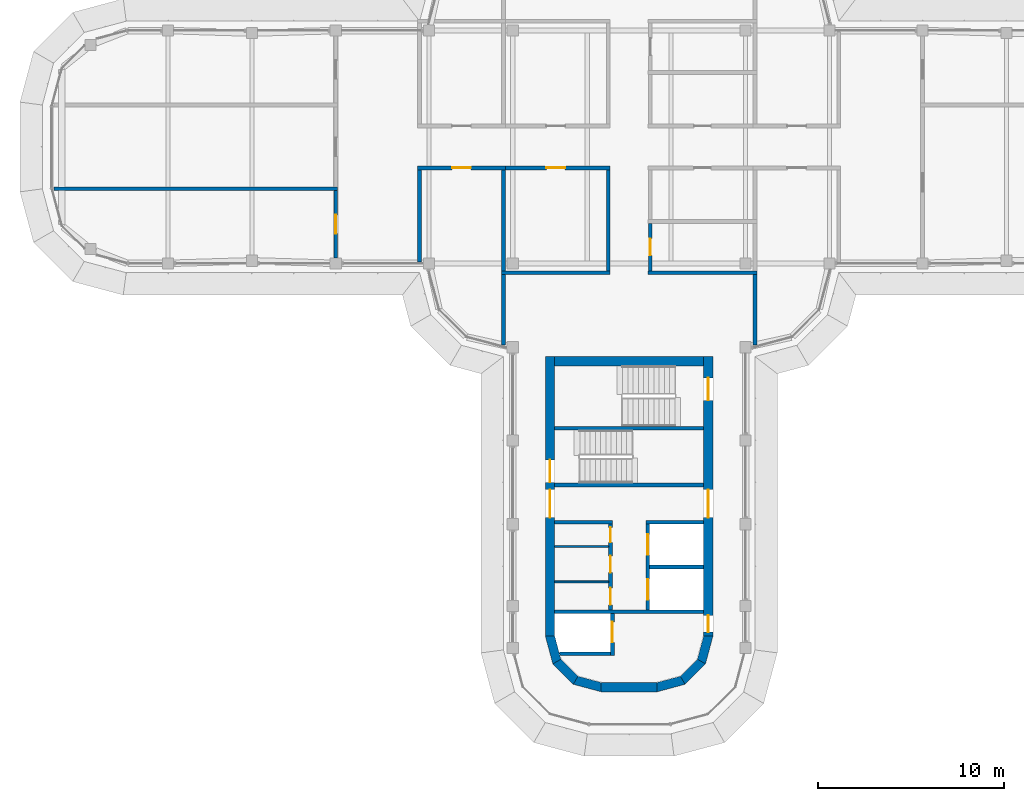
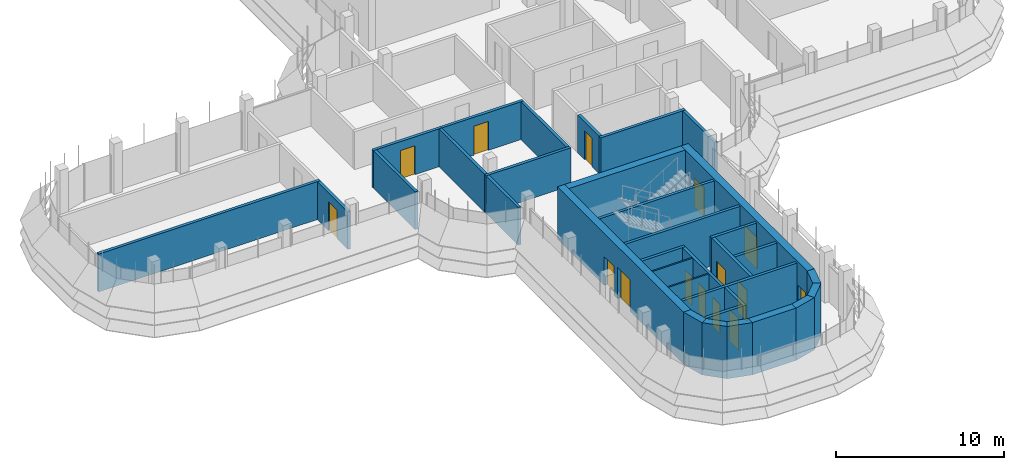
# One storey, part 13 of 19: 34 walls, 15 doors, 15 openings.
"""IFC4 building model written with IfcOpenShell, lengths in metres."""

from ifc_helpers import new_model, si_unit, direction, frame, frame_2d, origin, place, context, subcontext, project, spatial, polyline, rectangle, outline, extrude, material, layer, layer_set, type_object, element, fill, save


model = new_model("IFC4")

# Units and contexts
model_context = context("Model", 3, precision=1e-05, world=origin(), true_north=direction((0.0, 1.0)))
body_context = subcontext(model_context, "Body", "Model", "MODEL_VIEW")
ifc_project = project(units=[si_unit("LENGTHUNIT", "METRE"), si_unit("AREAUNIT", "SQUARE_METRE"), si_unit("VOLUMEUNIT", "CUBIC_METRE"), si_unit("PLANEANGLEUNIT", "RADIAN"), si_unit("MASSUNIT", "GRAM", prefix="KILO")], contexts=[model_context])

# Site, building, storey
site_placement = place(None, origin())
site = spatial("IfcSite", under=ifc_project, at=site_placement, CompositionType="ELEMENT")
building_placement = place(site_placement, origin())
building = spatial("IfcBuilding", under=site, at=building_placement, Name="Zarbagh Exchange Tower", CompositionType="ELEMENT")
storey_placement = place(building_placement, frame((0.0, 0.0, 265.0)))
storey = spatial("IfcBuildingStorey", under=building, at=storey_placement, Name="L65", CompositionType="ELEMENT", Elevation=265.0)

# Walls
ifc_material_1 = material(Name="Dense blockwork", Category="masonry")
ifc_layer_1 = layer(ifc_material_1, 0.10009765625)
ifc_layer_set_1 = layer_set([ifc_layer_1], Name="Core partition 100 mm blockwork")
wall_type_1 = type_object("IfcWallType", Name="Core partition 100 mm blockwork", PredefinedType="PARTITIONING", material=ifc_layer_set_1)
for number, where, z_axis, x_axis, name in (
    (1, (-1.10009765625, -23.35009765625, 0.0), (0.0, 0.0, 1.0), (-1.0, 0.0, 0.0), "South core partition wall CUT-E-500"),
    (2, (-1.10009765625, -21.449951171875, 0.0), (0.0, 0.0, 1.0), (-1.0, 0.0, 0.0), "South core partition wall CUT-E-690"),
):
    element("IfcWall", number, at=place(storey_placement, frame(where, z_axis=z_axis, x_axis=x_axis)), inside=storey, type_object=wall_type_1, Name=name, PredefinedType="PARTITIONING", context=body_context, shape_type="SweptSolid", body=[
        extrude(rectangle(XDim=2.89990234375, YDim=0.10009765625, at=frame_2d((1.449951171875, 0.0))), origin(), (0.0, 0.0, 1.0), 3.64990234375),
    ])

# Wall, opening, door
ifc_material_2 = material(Name="Fire-rated plasterboard partition")
ifc_layer_2 = layer(ifc_material_2, 0.199951171875)
ifc_layer_set_2 = layer_set([ifc_layer_2], Name="RATED PARTITION 200")
wall_type_2 = type_object("IfcWallType", Name="RATED PARTITION 200", PredefinedType="PARTITIONING", material=ifc_layer_set_2)
wall_1_placement = place(storey_placement, frame((-1.02490234375, -1.125, 0.0), z_axis=(0.0, 0.0, 1.0), x_axis=(-1.0, 0.0, 0.0)))
wall_1 = element("IfcWall", 3, at=wall_1_placement, inside=storey, type_object=wall_type_2, Name="Partition W-2807", PredefinedType="PARTITIONING", context=body_context, shape_type="SweptSolid", body=[
    extrude(rectangle(XDim=5.8251953125, YDim=0.199951171875, at=frame_2d((2.91259765625, 0.0))), origin(), (0.0, 0.0, 1.0), 2.75),
])
opening_1_placement = place(wall_1_placement, frame((2.41259765625, 0.0, 0.0)))
opening_1 = element("IfcOpeningElement", 4, at=opening_1_placement, cuts=wall_1, Name="Opening D-2812", PredefinedType="OPENING", context=body_context, shape_type="SweptSolid", body=[
    extrude(rectangle(XDim=1.0, YDim=2.10009765625, at=frame_2d((0.5, 1.050048828125))), frame((0.0, 0.10986328125, 0.0), z_axis=(0.0, -1.0, 0.0), x_axis=(1.0, 0.0, 0.0)), (0.0, 0.0, 1.0), 0.219970703125),
])
ifc_material_3 = material(Name="Steel door set", Category="steel")
door_type_1 = type_object("IfcDoorType", Name="FIRE DOOR 1000 X 2100 FD30S", OperationType="NOTDEFINED", PredefinedType="DOOR", material=ifc_material_3)
door_1_placement = place(opening_1_placement, origin())
door_1 = element("IfcDoor", 5, at=door_1_placement, inside=storey, type_object=door_type_1, Name="Door D-2812", OperationType="SINGLE_SWING_RIGHT", OverallHeight=2.10009765625, OverallWidth=1.0, PredefinedType="DOOR", context=body_context, shape_type="SweptSolid", body=[
    extrude(rectangle(XDim=1.0, YDim=2.10009765625, at=frame_2d((0.5, 1.050048828125))), frame((0.0, 0.02490234375, 0.0), z_axis=(0.0, -1.0, 0.0), x_axis=(1.0, 0.0, 0.0)), (0.0, 0.0, 1.0), 0.050048828125),
])
fill(opening_1, door_1)

wall_2_placement = place(storey_placement, frame((-6.64990234375, -1.125, 0.0), z_axis=(0.0, 0.0, 1.0), x_axis=(-1.0, 0.0, 0.0)))
wall_2 = element("IfcWall", 6, at=wall_2_placement, inside=storey, type_object=wall_type_2, Name="Partition W-2808", PredefinedType="PARTITIONING", context=body_context, shape_type="SweptSolid", body=[
    extrude(rectangle(XDim=4.7001953125, YDim=0.199951171875, at=frame_2d((2.35009765625, 0.0))), origin(), (0.0, 0.0, 1.0), 2.75),
])
opening_2_placement = place(wall_2_placement, frame((1.85009765625, 0.0, 0.0)))
opening_2 = element("IfcOpeningElement", 7, at=opening_2_placement, cuts=wall_2, Name="Opening D-2813", PredefinedType="OPENING", context=body_context, shape_type="SweptSolid", body=[
    extrude(rectangle(XDim=1.0, YDim=2.10009765625, at=frame_2d((0.5, 1.050048828125))), frame((0.0, 0.10986328125, 0.0), z_axis=(0.0, -1.0, 0.0), x_axis=(1.0, 0.0, 0.0)), (0.0, 0.0, 1.0), 0.219970703125),
])
door_2_placement = place(opening_2_placement, origin())
door_2 = element("IfcDoor", 8, at=door_2_placement, inside=storey, type_object=door_type_1, Name="Door D-2813", OperationType="SINGLE_SWING_RIGHT", OverallHeight=2.10009765625, OverallWidth=1.0, PredefinedType="DOOR", context=body_context, shape_type="SweptSolid", body=[
    extrude(rectangle(XDim=1.0, YDim=2.10009765625, at=frame_2d((0.5, 1.050048828125))), frame((0.0, 0.02490234375, 0.0), z_axis=(0.0, -1.0, 0.0), x_axis=(1.0, 0.0, 0.0)), (0.0, 0.0, 1.0), 0.050048828125),
])
fill(opening_2, door_2)

wall_3_placement = place(storey_placement, frame((1.125, -4.10009765625, 0.0), z_axis=(0.0, 0.0, 1.0), x_axis=(0.0, -1.0, 0.0)))
wall_3 = element("IfcWall", 9, at=wall_3_placement, inside=storey, type_object=wall_type_2, Name="Partition W-2813", PredefinedType="PARTITIONING", context=body_context, shape_type="SweptSolid", body=[
    extrude(rectangle(XDim=2.5498046875, YDim=0.199951171875, at=frame_2d((1.27490234375, 0.0))), origin(), (0.0, 0.0, 1.0), 2.75),
])
opening_3_placement = place(wall_3_placement, frame((0.824951171875, 0.0, 0.0)))
opening_3 = element("IfcOpeningElement", 10, at=opening_3_placement, cuts=wall_3, Name="Opening D-2810", PredefinedType="OPENING", context=body_context, shape_type="SweptSolid", body=[
    extrude(rectangle(XDim=0.89990234375, YDim=2.10009765625, at=frame_2d((0.449951171875, 1.050048828125))), frame((0.0, 0.10986328125, 0.0), z_axis=(0.0, -1.0, 0.0), x_axis=(1.0, 0.0, 0.0)), (0.0, 0.0, 1.0), 0.219970703125),
])
ifc_material_4 = material(Name="Timber door leaf", Category="wood")
door_type_2 = type_object("IfcDoorType", Name="DOOR 900 X 2100", OperationType="NOTDEFINED", PredefinedType="DOOR", material=ifc_material_4)
door_3_placement = place(opening_3_placement, origin())
door_3 = element("IfcDoor", 11, at=door_3_placement, inside=storey, type_object=door_type_2, Name="Door D-2810", OperationType="SINGLE_SWING_RIGHT", OverallHeight=2.10009765625, OverallWidth=0.89990234375, PredefinedType="DOOR", context=body_context, shape_type="SweptSolid", body=[
    extrude(rectangle(XDim=0.89990234375, YDim=2.10009765625, at=frame_2d((0.449951171875, 1.050048828125))), frame((0.0, 0.02490234375, 0.0), z_axis=(0.0, -1.0, 0.0), x_axis=(1.0, 0.0, 0.0)), (0.0, 0.0, 1.0), 0.050048828125),
])
fill(opening_3, door_3)

# Walls
wall_4_placement = place(storey_placement, frame((-1.125, -6.64990234375, 0.0), z_axis=(0.0, 0.0, 1.0), x_axis=(0.0, 1.0, 0.0)))
element("IfcWall", 12, at=wall_4_placement, inside=storey, type_object=wall_type_2, Name="Partition W-2814", PredefinedType="PARTITIONING", context=body_context, shape_type="SweptSolid", body=[
    extrude(rectangle(XDim=5.4248046875, YDim=0.199951171875, at=frame_2d((2.71240234375, 0.0))), origin(), (0.0, 0.0, 1.0), 2.75),
])
wall_5_placement = place(storey_placement, frame((1.02490234375, -6.75, 0.0), z_axis=(0.0, 0.0, 1.0), x_axis=(1.0, 0.0, 0.0)))
element("IfcWall", 13, at=wall_5_placement, inside=storey, type_object=wall_type_2, Name="Partition W-2819", PredefinedType="PARTITIONING", context=body_context, shape_type="SweptSolid", body=[
    extrude(rectangle(XDim=5.8251953125, YDim=0.199951171875, at=frame_2d((2.91259765625, 0.0))), origin(), (0.0, 0.0, 1.0), 2.75),
])
wall_6_placement = place(storey_placement, frame((6.75, -10.6298828125, 0.0), z_axis=(0.0, 0.0, 1.0), x_axis=(0.0, 1.0, 0.0)))
element("IfcWall", 14, at=wall_6_placement, inside=storey, type_object=wall_type_2, Name="Partition W-2820", PredefinedType="PARTITIONING", context=body_context, shape_type="SweptSolid", body=[
    extrude(rectangle(XDim=3.77978515625, YDim=0.199951171875, at=frame_2d((1.889892578125, 0.0))), origin(), (0.0, 0.0, 1.0), 2.75),
])
wall_7_placement = place(storey_placement, frame((-6.85009765625, -6.75, 0.0), z_axis=(0.0, 0.0, 1.0), x_axis=(1.0, 0.0, 0.0)))
element("IfcWall", 15, at=wall_7_placement, inside=storey, type_object=wall_type_2, Name="Partition W-2821", PredefinedType="PARTITIONING", context=body_context, shape_type="SweptSolid", body=[
    extrude(rectangle(XDim=5.8251953125, YDim=0.199951171875, at=frame_2d((2.91259765625, 0.0))), origin(), (0.0, 0.0, 1.0), 2.75),
])
wall_8_placement = place(storey_placement, frame((-6.75, -10.6298828125, 0.0), z_axis=(0.0, 0.0, 1.0), x_axis=(0.0, 1.0, 0.0)))
element("IfcWall", 16, at=wall_8_placement, inside=storey, type_object=wall_type_2, Name="Partition W-2822", PredefinedType="PARTITIONING", context=body_context, shape_type="SweptSolid", body=[
    extrude(rectangle(XDim=3.77978515625, YDim=0.199951171875, at=frame_2d((1.889892578125, 0.0))), origin(), (0.0, 0.0, 1.0), 2.75),
])
wall_9_placement = place(storey_placement, frame((-6.75, -6.64990234375, 0.0), z_axis=(0.0, 0.0, 1.0), x_axis=(0.0, 1.0, 0.0)))
element("IfcWall", 17, at=wall_9_placement, inside=storey, type_object=wall_type_2, Name="Partition W-2834", PredefinedType="PARTITIONING", context=body_context, shape_type="SweptSolid", body=[
    extrude(rectangle(XDim=5.4248046875, YDim=0.199951171875, at=frame_2d((2.71240234375, 0.0))), origin(), (0.0, 0.0, 1.0), 2.75),
])
wall_10_placement = place(storey_placement, frame((-11.25, -6.169921875, 0.0), z_axis=(0.0, 0.0, 1.0), x_axis=(0.0, 1.0, 0.0)))
element("IfcWall", 18, at=wall_10_placement, inside=storey, type_object=wall_type_2, Name="Partition W-2835", PredefinedType="PARTITIONING", context=body_context, shape_type="SweptSolid", body=[
    extrude(rectangle(XDim=4.94482421875, YDim=0.199951171875, at=frame_2d((2.472412109375, 0.0))), origin(), (0.0, 0.0, 1.0), 2.75),
])

# Wall, opening, door
wall_11_placement = place(storey_placement, frame((-15.75, -5.949951171875, 0.0), z_axis=(0.0, 0.0, 1.0), x_axis=(0.0, 1.0, 0.0)))
wall_11 = element("IfcWall", 19, at=wall_11_placement, inside=storey, type_object=wall_type_2, Name="Partition W-2839", PredefinedType="PARTITIONING", context=body_context, shape_type="SweptSolid", body=[
    extrude(rectangle(XDim=3.599853515625, YDim=0.199951171875, at=frame_2d((1.7998046875, 0.0))), origin(), (0.0, 0.0, 1.0), 2.75),
])
opening_4_placement = place(wall_11_placement, frame((1.300048828125, 0.0, 0.0)))
opening_4 = element("IfcOpeningElement", 20, at=opening_4_placement, cuts=wall_11, Name="Opening D-2814", PredefinedType="OPENING", context=body_context, shape_type="SweptSolid", body=[
    extrude(rectangle(XDim=1.0, YDim=2.10009765625, at=frame_2d((0.5, 1.050048828125))), frame((0.0, 0.10986328125, 0.0), z_axis=(0.0, -1.0, 0.0), x_axis=(1.0, 0.0, 0.0)), (0.0, 0.0, 1.0), 0.219970703125),
])
door_4_placement = place(opening_4_placement, origin())
door_4 = element("IfcDoor", 21, at=door_4_placement, inside=storey, type_object=door_type_1, Name="Door D-2814", OperationType="SINGLE_SWING_LEFT", OverallHeight=2.10009765625, OverallWidth=1.0, PredefinedType="DOOR", context=body_context, shape_type="SweptSolid", body=[
    extrude(rectangle(XDim=1.0, YDim=2.10009765625, at=frame_2d((0.5, 1.050048828125))), frame((0.0, 0.02490234375, 0.0), z_axis=(0.0, -1.0, 0.0), x_axis=(1.0, 0.0, 0.0)), (0.0, 0.0, 1.0), 0.050048828125),
])
fill(opening_4, door_4)

# Walls
wall_12_placement = place(storey_placement, frame((-30.8798828125, -2.25, 0.0), z_axis=(0.0, 0.0, 1.0), x_axis=(1.0, 0.0, 0.0)))
element("IfcWall", 22, at=wall_12_placement, inside=storey, type_object=wall_type_2, Name="Partition W-2842", PredefinedType="PARTITIONING", context=body_context, shape_type="SweptSolid", body=[
    extrude(rectangle(XDim=15.22998046875, YDim=0.199951171875, at=frame_2d((7.614990234375, 0.0))), origin(), (0.0, 0.0, 1.0), 2.75),
])
ifc_material_5 = material(Name="Concrete C40/50", Category="concrete")
ifc_layer_3 = layer(ifc_material_5, 0.5)
ifc_layer_set_3 = layer_set([ifc_layer_3], Name="RC core corner wall 500 C40/50")
wall_type_3 = type_object("IfcWallType", Name="RC core corner wall 500 C40/50", PredefinedType="SHEAR", material=ifc_layer_set_3)
wall_13_placement = place(storey_placement, origin())
element("IfcWall", 23, at=wall_13_placement, inside=storey, type_object=wall_type_3, Name="CW10 core S corner W", PredefinedType="SHEAR", context=body_context, shape_type="SweptSolid", body=[
    extrude(outline(polyline([(-4.5, -26.25), (-4.09814453125, -27.75), (-3.6650390625, -27.5), (-4.0, -26.25), (-4.5, -26.25)])), origin(), (0.0, 0.0, 1.0), 3.800048828125),
])
wall_14_placement = place(storey_placement, origin())
element("IfcWall", 24, at=wall_14_placement, inside=storey, type_object=wall_type_3, Name="CW10 core S corner W", PredefinedType="SHEAR", context=body_context, shape_type="SweptSolid", body=[
    extrude(outline(polyline([(-4.09814453125, -27.75), (-3.0, -28.84814453125), (-2.75, -28.4150390625), (-3.6650390625, -27.5), (-4.09814453125, -27.75)])), origin(), (0.0, 0.0, 1.0), 3.800048828125),
])
wall_15_placement = place(storey_placement, origin())
element("IfcWall", 25, at=wall_15_placement, inside=storey, type_object=wall_type_3, Name="CW10 core S corner W", PredefinedType="SHEAR", context=body_context, shape_type="SweptSolid", body=[
    extrude(outline(polyline([(-3.0, -28.84814453125), (-1.5, -29.25), (-1.5, -28.75), (-2.75, -28.4150390625), (-3.0, -28.84814453125)])), origin(), (0.0, 0.0, 1.0), 3.800048828125),
])
wall_16_placement = place(storey_placement, origin())
element("IfcWall", 26, at=wall_16_placement, inside=storey, type_object=wall_type_3, Name="CW10 core S corner E", PredefinedType="SHEAR", context=body_context, shape_type="SweptSolid", body=[
    extrude(outline(polyline([(4.5, -26.25), (4.09814453125, -27.75), (3.6650390625, -27.5), (4.0, -26.25), (4.5, -26.25)])), origin(), (0.0, 0.0, 1.0), 3.800048828125),
])
wall_17_placement = place(storey_placement, origin())
element("IfcWall", 27, at=wall_17_placement, inside=storey, type_object=wall_type_3, Name="CW10 core S corner E", PredefinedType="SHEAR", context=body_context, shape_type="SweptSolid", body=[
    extrude(outline(polyline([(4.09814453125, -27.75), (3.0, -28.84814453125), (2.75, -28.4150390625), (3.6650390625, -27.5), (4.09814453125, -27.75)])), origin(), (0.0, 0.0, 1.0), 3.800048828125),
])
wall_18_placement = place(storey_placement, origin())
element("IfcWall", 28, at=wall_18_placement, inside=storey, type_object=wall_type_3, Name="CW10 core S corner E", PredefinedType="SHEAR", context=body_context, shape_type="SweptSolid", body=[
    extrude(outline(polyline([(3.0, -28.84814453125), (1.5, -29.25), (1.5, -28.75), (2.75, -28.4150390625), (3.0, -28.84814453125)])), origin(), (0.0, 0.0, 1.0), 3.800048828125),
])

# Wall, openings, doors
ifc_layer_4 = layer(ifc_material_5, 0.5)
ifc_layer_set_4 = layer_set([ifc_layer_4], Name="RC core wall 500 C40/50")
wall_type_4 = type_object("IfcWallType", Name="RC core wall 500 C40/50", PredefinedType="SHEAR", material=ifc_layer_set_4)
wall_19_placement = place(storey_placement, frame((-4.25, -11.25, 0.0), z_axis=(0.0, 0.0, 1.0), x_axis=(0.0, -1.0, 0.0)))
wall_19 = element("IfcWall", 29, at=wall_19_placement, inside=storey, type_object=wall_type_4, Name="CW9 core S W", PredefinedType="SHEAR", context=body_context, shape_type="SweptSolid", body=[
    extrude(rectangle(XDim=15.0, YDim=0.5, at=frame_2d((7.5, 0.0))), origin(), (0.0, 0.0, 1.0), 3.800048828125),
])
opening_5_placement = place(wall_19_placement, frame((7.14990234375, 0.0, 0.0)))
opening_5 = element("IfcOpeningElement", 30, at=opening_5_placement, cuts=wall_19, Name="Opening CD1-1500", PredefinedType="OPENING", context=body_context, shape_type="SweptSolid", body=[
    extrude(rectangle(XDim=1.5, YDim=2.300048828125, at=frame_2d((0.75, 1.14990234375))), frame((0.0, 0.260009765625, 0.0), z_axis=(0.0, -1.0, 0.0), x_axis=(1.0, 0.0, 0.0)), (0.0, 0.0, 1.0), 0.52001953125),
])
opening_6_placement = place(wall_19_placement, frame((5.550048828125, 0.0, 0.0)))
opening_6 = element("IfcOpeningElement", 31, at=opening_6_placement, cuts=wall_19, Name="Opening SD1-1200", PredefinedType="OPENING", context=body_context, shape_type="SweptSolid", body=[
    extrude(rectangle(XDim=1.199951171875, YDim=2.10009765625, at=frame_2d((0.60009765625, 1.050048828125))), frame((0.0, 0.260009765625, 0.0), z_axis=(0.0, -1.0, 0.0), x_axis=(1.0, 0.0, 0.0)), (0.0, 0.0, 1.0), 0.52001953125),
])
ifc_material_6 = material(Name="Steel", Category="steel")
door_type_3 = type_object("IfcDoorType", Name="Exit stair door 1200 x 2100", OperationType="NOTDEFINED", PredefinedType="DOOR", material=ifc_material_6)
door_5_placement = place(opening_6_placement, origin())
door_5 = element("IfcDoor", 32, at=door_5_placement, inside=storey, type_object=door_type_3, Name="South core stair door ST1", OperationType="SINGLE_SWING_RIGHT", OverallHeight=2.10009765625, OverallWidth=1.199951171875, PredefinedType="DOOR", context=body_context, shape_type="SweptSolid", body=[
    extrude(rectangle(XDim=1.199951171875, YDim=2.10009765625, at=frame_2d((0.60009765625, 1.050048828125))), frame((0.0, 0.02490234375, 0.0), z_axis=(0.0, -1.0, 0.0), x_axis=(1.0, 0.0, 0.0)), (0.0, 0.0, 1.0), 0.050048828125),
])
fill(opening_6, door_5)
door_type_4 = type_object("IfcDoorType", Name="Lift lobby double door 1500 x 2300", OperationType="NOTDEFINED", PredefinedType="DOOR", material=ifc_material_6)
door_6_placement = place(opening_5_placement, origin())
door_6 = element("IfcDoor", 33, at=door_6_placement, inside=storey, type_object=door_type_4, Name="South core lift lobby door LOBBY-E", OperationType="DOUBLE_DOOR_SINGLE_SWING", OverallHeight=2.300048828125, OverallWidth=1.5, PredefinedType="DOOR", context=body_context, shape_type="SweptSolid", body=[
    extrude(rectangle(XDim=1.5, YDim=2.300048828125, at=frame_2d((0.75, 1.14990234375))), frame((0.0, 0.02490234375, 0.0), z_axis=(0.0, -1.0, 0.0), x_axis=(1.0, 0.0, 0.0)), (0.0, 0.0, 1.0), 0.050048828125),
])
fill(opening_5, door_6)

wall_20_placement = place(storey_placement, frame((4.25, -11.25, 0.0), z_axis=(0.0, 0.0, 1.0), x_axis=(0.0, -1.0, 0.0)))
wall_20 = element("IfcWall", 34, at=wall_20_placement, inside=storey, type_object=wall_type_4, Name="CW9 core S E", PredefinedType="SHEAR", context=body_context, shape_type="SweptSolid", body=[
    extrude(rectangle(XDim=15.0, YDim=0.5, at=frame_2d((7.5, 0.0))), origin(), (0.0, 0.0, 1.0), 3.800048828125),
])
opening_7_placement = place(wall_20_placement, frame((7.14990234375, 0.0, 0.0)))
opening_7 = element("IfcOpeningElement", 35, at=opening_7_placement, cuts=wall_20, Name="Opening CD1-1500", PredefinedType="OPENING", context=body_context, shape_type="SweptSolid", body=[
    extrude(rectangle(XDim=1.5, YDim=2.300048828125, at=frame_2d((0.75, 1.14990234375))), frame((0.0, 0.260009765625, 0.0), z_axis=(0.0, -1.0, 0.0), x_axis=(1.0, 0.0, 0.0)), (0.0, 0.0, 1.0), 0.52001953125),
])
opening_8_placement = place(wall_20_placement, frame((13.89990234375, 0.0, 0.0)))
opening_8 = element("IfcOpeningElement", 36, at=opening_8_placement, cuts=wall_20, Name="Opening CD2-900", PredefinedType="OPENING", context=body_context, shape_type="SweptSolid", body=[
    extrude(rectangle(XDim=0.89990234375, YDim=2.10009765625, at=frame_2d((0.449951171875, 1.050048828125))), frame((0.0, 0.260009765625, 0.0), z_axis=(0.0, -1.0, 0.0), x_axis=(1.0, 0.0, 0.0)), (0.0, 0.0, 1.0), 0.52001953125),
])
opening_9_placement = place(wall_20_placement, frame((1.14990234375, 0.0, 0.0)))
opening_9 = element("IfcOpeningElement", 37, at=opening_9_placement, cuts=wall_20, Name="Opening SD1-1200", PredefinedType="OPENING", context=body_context, shape_type="SweptSolid", body=[
    extrude(rectangle(XDim=1.199951171875, YDim=2.10009765625, at=frame_2d((0.60009765625, 1.050048828125))), frame((0.0, 0.260009765625, 0.0), z_axis=(0.0, -1.0, 0.0), x_axis=(1.0, 0.0, 0.0)), (0.0, 0.0, 1.0), 0.52001953125),
])
door_7_placement = place(opening_9_placement, origin())
door_7 = element("IfcDoor", 38, at=door_7_placement, inside=storey, type_object=door_type_3, Name="South core stair door ST2", OperationType="SINGLE_SWING_RIGHT", OverallHeight=2.10009765625, OverallWidth=1.199951171875, PredefinedType="DOOR", context=body_context, shape_type="SweptSolid", body=[
    extrude(rectangle(XDim=1.199951171875, YDim=2.10009765625, at=frame_2d((0.60009765625, 1.050048828125))), frame((0.0, 0.02490234375, 0.0), z_axis=(0.0, -1.0, 0.0), x_axis=(1.0, 0.0, 0.0)), (0.0, 0.0, 1.0), 0.050048828125),
])
fill(opening_9, door_7)
door_type_5 = type_object("IfcDoorType", Name="Firefighting lobby door 900 x 2100", OperationType="NOTDEFINED", PredefinedType="DOOR", material=ifc_material_6)
door_8_placement = place(opening_8_placement, origin())
door_8 = element("IfcDoor", 39, at=door_8_placement, inside=storey, type_object=door_type_5, Name="South core firefighting lobby door FF-W", OperationType="SINGLE_SWING_LEFT", OverallHeight=2.10009765625, OverallWidth=0.89990234375, PredefinedType="DOOR", context=body_context, shape_type="SweptSolid", body=[
    extrude(rectangle(XDim=0.89990234375, YDim=2.10009765625, at=frame_2d((0.449951171875, 1.050048828125))), frame((0.0, 0.02490234375, 0.0), z_axis=(0.0, -1.0, 0.0), x_axis=(1.0, 0.0, 0.0)), (0.0, 0.0, 1.0), 0.050048828125),
])
fill(opening_8, door_8)
door_9_placement = place(opening_7_placement, origin())
door_9 = element("IfcDoor", 40, at=door_9_placement, inside=storey, type_object=door_type_4, Name="South core lift lobby door LOBBY-W", OperationType="DOUBLE_DOOR_SINGLE_SWING", OverallHeight=2.300048828125, OverallWidth=1.5, PredefinedType="DOOR", context=body_context, shape_type="SweptSolid", body=[
    extrude(rectangle(XDim=1.5, YDim=2.300048828125, at=frame_2d((0.75, 1.14990234375))), frame((0.0, 0.02490234375, 0.0), z_axis=(0.0, -1.0, 0.0), x_axis=(1.0, 0.0, 0.0)), (0.0, 0.0, 1.0), 0.050048828125),
])
fill(opening_7, door_9)

# Walls
wall_21_placement = place(storey_placement, frame((-4.0, -11.5, 0.0), z_axis=(0.0, 0.0, 1.0), x_axis=(1.0, 0.0, 0.0)))
element("IfcWall", 41, at=wall_21_placement, inside=storey, type_object=wall_type_4, Name="CW9 core S inner end", PredefinedType="SHEAR", context=body_context, shape_type="SweptSolid", body=[
    extrude(rectangle(XDim=8.0, YDim=0.5, at=frame_2d((4.0, 0.0))), origin(), (0.0, 0.0, 1.0), 3.800048828125),
])
wall_22_placement = place(storey_placement, frame((-1.5, -29.0, 0.0), z_axis=(0.0, 0.0, 1.0), x_axis=(1.0, 0.0, 0.0)))
element("IfcWall", 42, at=wall_22_placement, inside=storey, type_object=wall_type_4, Name="CW9 core S outer end", PredefinedType="SHEAR", context=body_context, shape_type="SweptSolid", body=[
    extrude(rectangle(XDim=3.0, YDim=0.5, at=frame_2d((1.5, 0.0))), origin(), (0.0, 0.0, 1.0), 3.800048828125),
])
ifc_layer_5 = layer(ifc_material_1, 0.199951171875)
ifc_layer_set_5 = layer_set([ifc_layer_5], Name="Shaft wall 200 mm blockwork")
wall_type_5 = type_object("IfcWallType", Name="Shaft wall 200 mm blockwork", PredefinedType="PARTITIONING", material=ifc_layer_set_5)
wall_23_placement = place(storey_placement, frame((4.0, -20.14990234375, 0.0), z_axis=(0.0, 0.0, 1.0), x_axis=(-1.0, 0.0, 0.0)))
element("IfcWall", 43, at=wall_23_placement, inside=storey, type_object=wall_type_5, Name="South core shaft wall AB-W", PredefinedType="PARTITIONING", context=body_context, shape_type="SweptSolid", body=[
    extrude(rectangle(XDim=3.10009765625, YDim=0.199951171875, at=frame_2d((1.550048828125, 0.0))), origin(), (0.0, 0.0, 1.0), 3.64990234375),
])

# Wall, openings, doors
wall_24_placement = place(storey_placement, frame((1.0, -24.85009765625, 0.0), z_axis=(0.0, 0.0, 1.0), x_axis=(0.0, 1.0, 0.0)))
wall_24 = element("IfcWall", 44, at=wall_24_placement, inside=storey, type_object=wall_type_5, Name="South core shaft wall LW-W", PredefinedType="PARTITIONING", context=body_context, shape_type="SweptSolid", body=[
    extrude(rectangle(XDim=4.60009765625, YDim=0.199951171875, at=frame_2d((2.300048828125, 0.0))), origin(), (0.0, 0.0, 1.0), 3.64990234375),
])
opening_10_placement = place(wall_24_placement, frame((0.550048828125, 0.0, 0.0)))
opening_10 = element("IfcOpeningElement", 45, at=opening_10_placement, cuts=wall_24, Name="Opening LD-1100", PredefinedType="OPENING", context=body_context, shape_type="SweptSolid", body=[
    extrude(rectangle(XDim=1.10009765625, YDim=2.300048828125, at=frame_2d((0.550048828125, 1.14990234375))), frame((0.0, 0.10986328125, 0.0), z_axis=(0.0, -1.0, 0.0), x_axis=(1.0, 0.0, 0.0)), (0.0, 0.0, 1.0), 0.219970703125),
])
opening_11_placement = place(wall_24_placement, frame((2.949951171875, 0.0, 0.0)))
opening_11 = element("IfcOpeningElement", 46, at=opening_11_placement, cuts=wall_24, Name="Opening LD-1100", PredefinedType="OPENING", context=body_context, shape_type="SweptSolid", body=[
    extrude(rectangle(XDim=1.10009765625, YDim=2.300048828125, at=frame_2d((0.550048828125, 1.14990234375))), frame((0.0, 0.10986328125, 0.0), z_axis=(0.0, -1.0, 0.0), x_axis=(1.0, 0.0, 0.0)), (0.0, 0.0, 1.0), 0.219970703125),
])
ifc_material_7 = material(Name="Stainless steel", Category="steel")
door_type_6 = type_object("IfcDoorType", Name="Lift landing door 1100 x 2300", OperationType="NOTDEFINED", PredefinedType="DOOR", material=ifc_material_7)
door_10_placement = place(opening_10_placement, origin())
door_10 = element("IfcDoor", 47, at=door_10_placement, inside=storey, type_object=door_type_6, Name="South core lift landing door LD-P-S1", OperationType="DOUBLE_DOOR_SLIDING", OverallHeight=2.300048828125, OverallWidth=1.10009765625, PredefinedType="DOOR", context=body_context, shape_type="SweptSolid", body=[
    extrude(rectangle(XDim=1.10009765625, YDim=2.300048828125, at=frame_2d((0.550048828125, 1.14990234375))), frame((0.0, 0.02490234375, 0.0), z_axis=(0.0, -1.0, 0.0), x_axis=(1.0, 0.0, 0.0)), (0.0, 0.0, 1.0), 0.050048828125),
])
fill(opening_10, door_10)
door_11_placement = place(opening_11_placement, origin())
door_11 = element("IfcDoor", 48, at=door_11_placement, inside=storey, type_object=door_type_6, Name="South core lift landing door LD-P-S2", OperationType="DOUBLE_DOOR_SLIDING", OverallHeight=2.300048828125, OverallWidth=1.10009765625, PredefinedType="DOOR", context=body_context, shape_type="SweptSolid", body=[
    extrude(rectangle(XDim=1.10009765625, YDim=2.300048828125, at=frame_2d((0.550048828125, 1.14990234375))), frame((0.0, 0.02490234375, 0.0), z_axis=(0.0, -1.0, 0.0), x_axis=(1.0, 0.0, 0.0)), (0.0, 0.0, 1.0), 0.050048828125),
])
fill(opening_11, door_11)

# Wall
wall_25_placement = place(storey_placement, frame((-0.89990234375, -20.14990234375, 0.0), z_axis=(0.0, 0.0, 1.0), x_axis=(-1.0, 0.0, 0.0)))
element("IfcWall", 49, at=wall_25_placement, inside=storey, type_object=wall_type_5, Name="South core shaft wall AB-E", PredefinedType="PARTITIONING", context=body_context, shape_type="SweptSolid", body=[
    extrude(rectangle(XDim=3.10009765625, YDim=0.199951171875, at=frame_2d((1.550048828125, 0.0))), origin(), (0.0, 0.0, 1.0), 3.64990234375),
])

# Wall, openings, doors
wall_26_placement = place(storey_placement, frame((-1.0, -24.85009765625, 0.0), z_axis=(0.0, 0.0, 1.0), x_axis=(0.0, 1.0, 0.0)))
wall_26 = element("IfcWall", 50, at=wall_26_placement, inside=storey, type_object=wall_type_5, Name="South core shaft wall LW-E", PredefinedType="PARTITIONING", context=body_context, shape_type="SweptSolid", body=[
    extrude(rectangle(XDim=4.60009765625, YDim=0.199951171875, at=frame_2d((2.300048828125, 0.0))), origin(), (0.0, 0.0, 1.0), 3.64990234375),
])
opening_12_placement = place(wall_26_placement, frame((0.27490234375, 0.0, 0.0)))
opening_12 = element("IfcOpeningElement", 51, at=opening_12_placement, cuts=wall_26, Name="Opening CD3-900", PredefinedType="OPENING", context=body_context, shape_type="SweptSolid", body=[
    extrude(rectangle(XDim=0.89990234375, YDim=2.10009765625, at=frame_2d((0.449951171875, 1.050048828125))), frame((0.0, 0.10986328125, 0.0), z_axis=(0.0, -1.0, 0.0), x_axis=(1.0, 0.0, 0.0)), (0.0, 0.0, 1.0), 0.219970703125),
])
opening_13_placement = place(wall_26_placement, frame((2.0, 0.0, 0.0)))
opening_13 = element("IfcOpeningElement", 52, at=opening_13_placement, cuts=wall_26, Name="Opening CD3-900", PredefinedType="OPENING", context=body_context, shape_type="SweptSolid", body=[
    extrude(rectangle(XDim=0.89990234375, YDim=2.10009765625, at=frame_2d((0.449951171875, 1.050048828125))), frame((0.0, 0.10986328125, 0.0), z_axis=(0.0, -1.0, 0.0), x_axis=(1.0, 0.0, 0.0)), (0.0, 0.0, 1.0), 0.219970703125),
])
opening_14_placement = place(wall_26_placement, frame((3.625, 0.0, 0.0)))
opening_14 = element("IfcOpeningElement", 53, at=opening_14_placement, cuts=wall_26, Name="Opening CD3-800", PredefinedType="OPENING", context=body_context, shape_type="SweptSolid", body=[
    extrude(rectangle(XDim=0.800048828125, YDim=2.10009765625, at=frame_2d((0.39990234375, 1.050048828125))), frame((0.0, 0.10986328125, 0.0), z_axis=(0.0, -1.0, 0.0), x_axis=(1.0, 0.0, 0.0)), (0.0, 0.0, 1.0), 0.219970703125),
])
door_type_7 = type_object("IfcDoorType", Name="Core room door 800 x 2100", OperationType="NOTDEFINED", PredefinedType="DOOR", material=ifc_material_6)
door_12_placement = place(opening_14_placement, origin())
door_12 = element("IfcDoor", 54, at=door_12_placement, inside=storey, type_object=door_type_7, Name="South core IT room door RD-E-2", OperationType="SINGLE_SWING_RIGHT", OverallHeight=2.10009765625, OverallWidth=0.800048828125, PredefinedType="DOOR", context=body_context, shape_type="SweptSolid", body=[
    extrude(rectangle(XDim=0.800048828125, YDim=2.10009765625, at=frame_2d((0.39990234375, 1.050048828125))), frame((0.0, 0.02490234375, 0.0), z_axis=(0.0, -1.0, 0.0), x_axis=(1.0, 0.0, 0.0)), (0.0, 0.0, 1.0), 0.050048828125),
])
fill(opening_14, door_12)
door_type_8 = type_object("IfcDoorType", Name="Core room door 900 x 2100", OperationType="NOTDEFINED", PredefinedType="DOOR", material=ifc_material_6)
door_13_placement = place(opening_12_placement, origin())
door_13 = element("IfcDoor", 55, at=door_13_placement, inside=storey, type_object=door_type_8, Name="South core Cleaner's store door RD-E-0", OperationType="SINGLE_SWING_RIGHT", OverallHeight=2.10009765625, OverallWidth=0.89990234375, PredefinedType="DOOR", context=body_context, shape_type="SweptSolid", body=[
    extrude(rectangle(XDim=0.89990234375, YDim=2.10009765625, at=frame_2d((0.449951171875, 1.050048828125))), frame((0.0, 0.02490234375, 0.0), z_axis=(0.0, -1.0, 0.0), x_axis=(1.0, 0.0, 0.0)), (0.0, 0.0, 1.0), 0.050048828125),
])
fill(opening_12, door_13)
door_14_placement = place(opening_13_placement, origin())
door_14 = element("IfcDoor", 56, at=door_14_placement, inside=storey, type_object=door_type_8, Name="South core Pantry door RD-E-1", OperationType="SINGLE_SWING_LEFT", OverallHeight=2.10009765625, OverallWidth=0.89990234375, PredefinedType="DOOR", context=body_context, shape_type="SweptSolid", body=[
    extrude(rectangle(XDim=0.89990234375, YDim=2.10009765625, at=frame_2d((0.449951171875, 1.050048828125))), frame((0.0, 0.02490234375, 0.0), z_axis=(0.0, -1.0, 0.0), x_axis=(1.0, 0.0, 0.0)), (0.0, 0.0, 1.0), 0.050048828125),
])
fill(opening_13, door_14)

# Walls
wall_27_placement = place(storey_placement, frame((4.0, -22.550048828125, 0.0), z_axis=(0.0, 0.0, 1.0), x_axis=(-1.0, 0.0, 0.0)))
element("IfcWall", 57, at=wall_27_placement, inside=storey, type_object=wall_type_5, Name="South core shaft wall TR-W", PredefinedType="PARTITIONING", context=body_context, shape_type="SweptSolid", body=[
    extrude(rectangle(XDim=2.89990234375, YDim=0.199951171875, at=frame_2d((1.449951171875, 0.0))), origin(), (0.0, 0.0, 1.0), 3.64990234375),
])
ifc_layer_6 = layer(ifc_material_5, 0.199951171875)
ifc_layer_set_6 = layer_set([ifc_layer_6], Name="Stair enclosure wall 200 mm RC C40/50")
wall_type_6 = type_object("IfcWallType", Name="Stair enclosure wall 200 mm RC C40/50", PredefinedType="SHEAR", material=ifc_layer_set_6)
wall_28_placement = place(storey_placement, frame((4.0, -24.949951171875, 0.0), z_axis=(0.0, 0.0, 1.0), x_axis=(-1.0, 0.0, 0.0)))
element("IfcWall", 58, at=wall_28_placement, inside=storey, type_object=wall_type_6, Name="South core lift shaft wall FFA", PredefinedType="SHEAR", context=body_context, shape_type="SweptSolid", body=[
    extrude(rectangle(XDim=8.0, YDim=0.199951171875, at=frame_2d((4.0, 0.0))), origin(), (0.0, 0.0, 1.0), 3.64990234375),
])

# Wall, opening, door
wall_29_placement = place(storey_placement, frame((-0.89990234375, -27.300048828125, 0.0), z_axis=(0.0, 0.0, 1.0), x_axis=(0.0, 1.0, 0.0)))
wall_29 = element("IfcWall", 59, at=wall_29_placement, inside=storey, type_object=wall_type_6, Name="South core lift shaft wall FFL", PredefinedType="SHEAR", context=body_context, shape_type="SweptSolid", body=[
    extrude(rectangle(XDim=2.25, YDim=0.199951171875, at=frame_2d((1.125, 0.0))), origin(), (0.0, 0.0, 1.0), 3.64990234375),
])
opening_15_placement = place(wall_29_placement, frame((0.699951171875, 0.0, 0.0)))
opening_15 = element("IfcOpeningElement", 60, at=opening_15_placement, cuts=wall_29, Name="Opening LD-1100", PredefinedType="OPENING", context=body_context, shape_type="SweptSolid", body=[
    extrude(rectangle(XDim=1.10009765625, YDim=2.300048828125, at=frame_2d((0.550048828125, 1.14990234375))), frame((0.0, 0.10986328125, 0.0), z_axis=(0.0, -1.0, 0.0), x_axis=(1.0, 0.0, 0.0)), (0.0, 0.0, 1.0), 0.219970703125),
])
door_15_placement = place(opening_15_placement, origin())
door_15 = element("IfcDoor", 61, at=door_15_placement, inside=storey, type_object=door_type_6, Name="South core lift landing door LD-F", OperationType="DOUBLE_DOOR_SLIDING", OverallHeight=2.300048828125, OverallWidth=1.10009765625, PredefinedType="DOOR", context=body_context, shape_type="SweptSolid", body=[
    extrude(rectangle(XDim=1.10009765625, YDim=2.300048828125, at=frame_2d((0.550048828125, 1.14990234375))), frame((0.0, 0.02490234375, 0.0), z_axis=(0.0, -1.0, 0.0), x_axis=(1.0, 0.0, 0.0)), (0.0, 0.0, 1.0), 0.050048828125),
])
fill(opening_15, door_15)

# Walls
wall_30_placement = place(storey_placement, origin())
element("IfcWall", 62, at=wall_30_placement, inside=storey, type_object=wall_type_6, Name="South core lift shaft wall FFX", PredefinedType="SHEAR", context=body_context, shape_type="SweptSolid", body=[
    extrude(outline(polyline([(-1.0, -27.10009765625), (-3.754638671875, -27.10009765625), (-3.700927734375, -27.300048828125), (-1.0, -27.300048828125), (-1.0, -27.10009765625)])), origin(), (0.0, 0.0, 1.0), 3.64990234375),
])
for number, where, z_axis, x_axis, name in (
    (63, (4.0, -18.14990234375, 0.0), (0.0, 0.0, 1.0), (-1.0, 0.0, 0.0), "South core stair wall BS"),
    (64, (4.0, -15.10009765625, 0.0), (0.0, 0.0, 1.0), (-1.0, 0.0, 0.0), "South core stair wall ST12"),
):
    element("IfcWall", number, at=place(storey_placement, frame(where, z_axis=z_axis, x_axis=x_axis)), inside=storey, type_object=wall_type_6, Name=name, PredefinedType="SHEAR", context=body_context, shape_type="SweptSolid", body=[
        extrude(rectangle(XDim=8.0, YDim=0.199951171875, at=frame_2d((4.0, 0.0))), origin(), (0.0, 0.0, 1.0), 3.64990234375),
    ])

save(model, "model.ifc")
